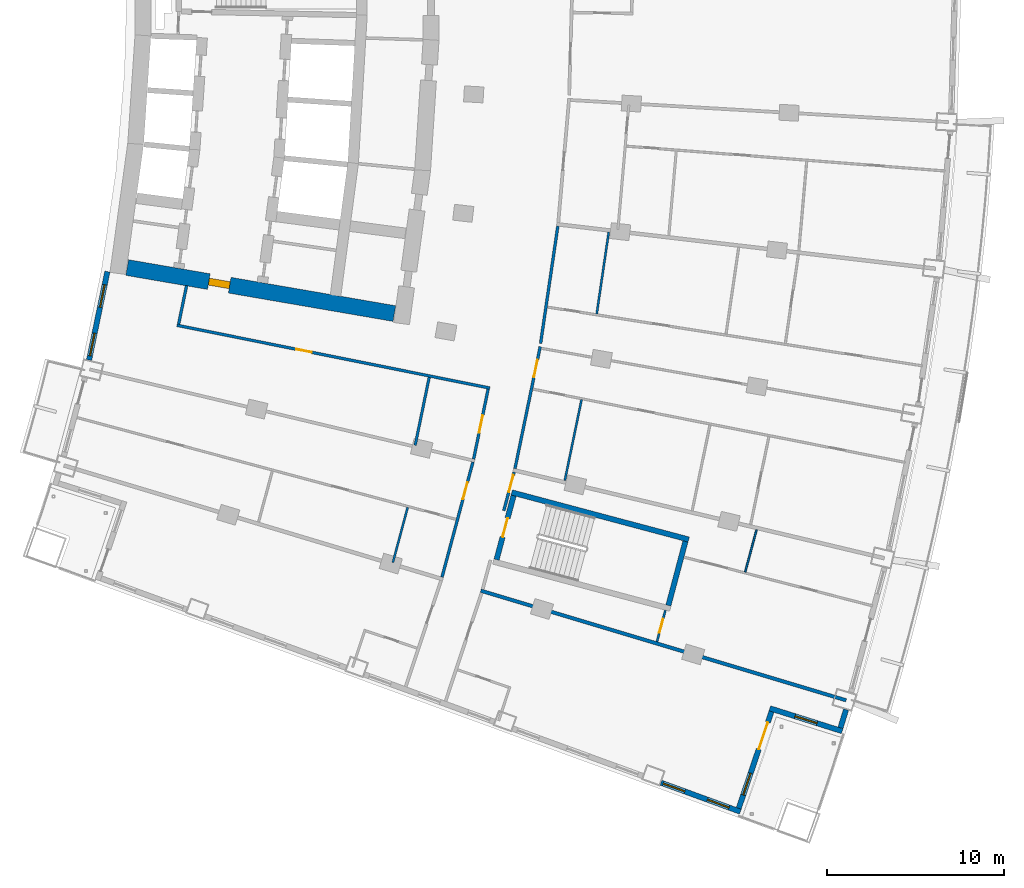
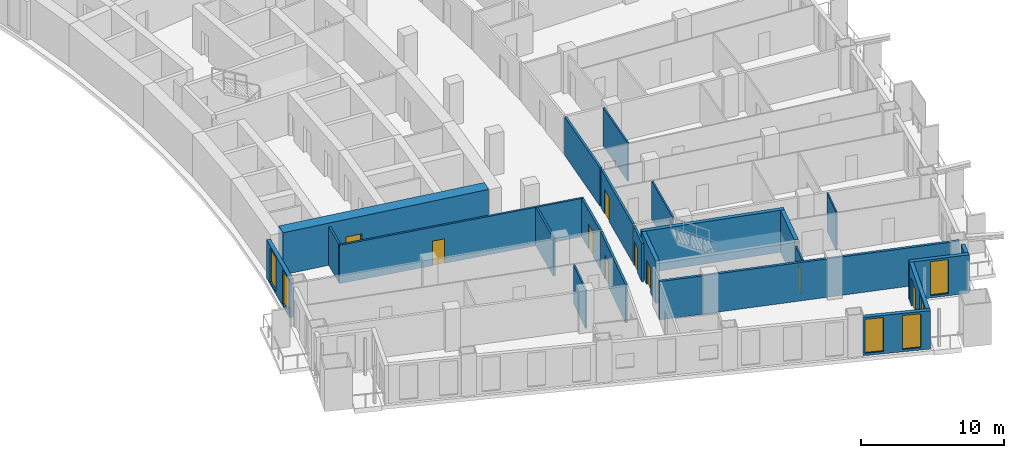
# One storey, part 14 of 25: 23 walls, 9 doors, 6 windows, 15 openings.
"""IFC4 building model written with IfcOpenShell, lengths in metres."""

from ifc_helpers import new_model, si_unit, direction, frame, frame_2d, origin, place, context, subcontext, project, spatial, rectangle, extrude, material, layer, layer_set, type_object, element, fill, save


model = new_model("IFC4")

# Units and contexts
model_context = context("Model", 3, precision=1e-05, world=origin(), true_north=direction((0.0, 1.0)))
body_context = subcontext(model_context, "Body", "Model", "MODEL_VIEW")
ifc_project = project(units=[si_unit("LENGTHUNIT", "METRE"), si_unit("AREAUNIT", "SQUARE_METRE"), si_unit("VOLUMEUNIT", "CUBIC_METRE"), si_unit("PLANEANGLEUNIT", "RADIAN"), si_unit("MASSUNIT", "GRAM", prefix="KILO")], contexts=[model_context])

# Site, building, storey
site_placement = place(None, origin())
site = spatial("IfcSite", under=ifc_project, at=site_placement, CompositionType="ELEMENT")
building_placement = place(site_placement, origin())
building = spatial("IfcBuilding", under=site, at=building_placement, Name="Alderwake Tower", CompositionType="ELEMENT")
storey_placement = place(building_placement, frame((0.0, 0.0, 57.199951171875)))
storey = spatial("IfcBuildingStorey", under=building, at=storey_placement, Name="L13", CompositionType="ELEMENT", Elevation=57.199951171875)

# Wall, opening, door
ifc_material_1 = material(Name="Concrete C70/85", Category="concrete")
ifc_layer_1 = layer(ifc_material_1, 0.89990234375)
ifc_layer_set_1 = layer_set([ifc_layer_1], Name="Core wall outer 900 C70-85")
wall_type_1 = type_object("IfcWallType", Name="Core wall outer 900 C70-85", PredefinedType="SHEAR", material=ifc_layer_set_1)
wall_1_placement = place(storey_placement, frame((31.11328125, 41.846923828125, 0.0), z_axis=(0.0, 0.0, 1.0), x_axis=(-0.985466640605, 0.169869067972, 0.0)))
wall_1 = element("IfcWall", 1, at=wall_1_placement, inside=storey, type_object=wall_type_1, Name="Core wall CW.070", PredefinedType="SHEAR", context=body_context, shape_type="SweptSolid", body=[
    extrude(rectangle(XDim=15.336669921875, YDim=0.89990234375, at=frame_2d((7.66845703125, 0.0))), origin(), (0.0, 0.0, 1.0), 3.60009765625),
])
opening_1_placement = place(wall_1_placement, frame((9.451904296875, 0.0, 0.0)))
opening_1 = element("IfcOpeningElement", 2, at=opening_1_placement, cuts=wall_1, Name="Opening C003", PredefinedType="OPENING", context=body_context, shape_type="SweptSolid", body=[
    extrude(rectangle(XDim=1.199951171875, YDim=2.10009765625, at=frame_2d((0.60009765625, 1.050048828125))), frame((0.0, 0.4599609375, 0.0), z_axis=(0.0, -1.0, 0.0), x_axis=(1.0, 0.0, 0.0)), (0.0, 0.0, 1.0), 0.919921875),
])
ifc_material_2 = material(Name="Steel-framed fire door leaf", Category="steel")
door_type_1 = type_object("IfcDoorType", Name="Core lobby exit door 1200 fire-rated", OperationType="SINGLE_SWING_LEFT", PredefinedType="DOOR", material=ifc_material_2)
door_1_placement = place(opening_1_placement, origin())
door_1 = element("IfcDoor", 3, at=door_1_placement, inside=storey, type_object=door_type_1, Name="Lobby door", OperationType="SINGLE_SWING_LEFT", OverallHeight=2.10009765625, OverallWidth=1.199951171875, PredefinedType="DOOR", context=body_context, shape_type="SweptSolid", body=[
    extrude(rectangle(XDim=1.199951171875, YDim=2.10009765625, at=frame_2d((0.60009765625, 1.050048828125))), frame((0.0, 0.199951171875, 0.0), z_axis=(0.0, -1.0, 0.0), x_axis=(1.0, 0.0, 0.0)), (0.0, 0.0, 1.0), 0.39990234375),
])
fill(opening_1, door_1)

# Wall
ifc_material_3 = material(Name="Concrete C70/85", Category="concrete")
ifc_layer_2 = layer(ifc_material_3, 0.300048828125)
ifc_layer_set_2 = layer_set([ifc_layer_2], Name="Core wall stair enclosure 300 C70-85")
wall_type_2 = type_object("IfcWallType", Name="Core wall stair enclosure 300 C70-85", PredefinedType="SHEAR", material=ifc_layer_set_2)
wall_2_placement = place(storey_placement, frame((37.75390625, 31.731201171875, 0.0), z_axis=(0.0, 0.0, 1.0), x_axis=(0.966309214305, -0.257383958996, 0.0)))
element("IfcWall", 4, at=wall_2_placement, inside=storey, type_object=wall_type_2, Name="Core wall CW.086", PredefinedType="SHEAR", context=body_context, shape_type="SweptSolid", body=[
    extrude(rectangle(XDim=10.360107421875, YDim=0.300048828125, at=frame_2d((5.18017578125, 0.0))), origin(), (0.0, 0.0, 1.0), 3.60009765625),
])

# Wall, opening, door
wall_3_placement = place(storey_placement, frame((36.89501953125, 27.923828125, 0.0), z_axis=(0.0, 0.0, 1.0), x_axis=(0.257350630826, 0.966318090907, 0.0)))
wall_3 = element("IfcWall", 5, at=wall_3_placement, inside=storey, type_object=wall_type_2, Name="Core wall CW.087", PredefinedType="SHEAR", context=body_context, shape_type="SweptSolid", body=[
    extrude(rectangle(XDim=3.75, YDim=0.300048828125, at=frame_2d((1.875, 0.0))), origin(), (0.0, 0.0, 1.0), 3.60009765625),
])
opening_2_placement = place(wall_3_placement, frame((1.324951171875, 0.0, 0.0)))
opening_2 = element("IfcOpeningElement", 6, at=opening_2_placement, cuts=wall_3, Name="Opening C065", PredefinedType="OPENING", context=body_context, shape_type="SweptSolid", body=[
    extrude(rectangle(XDim=1.10009765625, YDim=2.10009765625, at=frame_2d((0.550048828125, 1.050048828125))), frame((0.0, 0.159912109375, 0.0), z_axis=(0.0, -1.0, 0.0), x_axis=(1.0, 0.0, 0.0)), (0.0, 0.0, 1.0), 0.320068359375),
])
ifc_material_4 = material(Name="Steel-framed fire door leaf", Category="steel")
door_type_2 = type_object("IfcDoorType", Name="Core stair door 1100 fire-rated", OperationType="SINGLE_SWING_LEFT", PredefinedType="DOOR", material=ifc_material_4)
door_2_placement = place(opening_2_placement, origin())
door_2 = element("IfcDoor", 7, at=door_2_placement, inside=storey, type_object=door_type_2, Name="Stair door", OperationType="SINGLE_SWING_RIGHT", OverallHeight=2.10009765625, OverallWidth=1.10009765625, PredefinedType="DOOR", context=body_context, shape_type="SweptSolid", body=[
    extrude(rectangle(XDim=1.10009765625, YDim=2.10009765625, at=frame_2d((0.550048828125, 1.050048828125))), frame((0.0, 0.02490234375, 0.0), z_axis=(0.0, -1.0, 0.0), x_axis=(1.0, 0.0, 0.0)), (0.0, 0.0, 1.0), 0.050048828125),
])
fill(opening_2, door_2)

# Wall
wall_4_placement = place(storey_placement, frame((46.6162109375, 25.334716796875, 0.0), z_axis=(0.0, 0.0, 1.0), x_axis=(0.257366821694, 0.966313778796, 0.0)))
element("IfcWall", 8, at=wall_4_placement, inside=storey, type_object=wall_type_2, Name="Core wall CW.085", PredefinedType="SHEAR", context=body_context, shape_type="SweptSolid", body=[
    extrude(rectangle(XDim=3.749755859375, YDim=0.300048828125, at=frame_2d((1.875, 0.0))), origin(), (0.0, 0.0, 1.0), 3.60009765625),
])

# Wall, opening, door
ifc_material_5 = material(Name="Gypsum board on metal studs, rated")
ifc_layer_3 = layer(ifc_material_5, 0.159912109375)
ifc_layer_set_3 = layer_set([ifc_layer_3], Name="Corridor wall 160")
wall_type_3 = type_object("IfcWallType", Name="Corridor wall 160", PredefinedType="PARTITIONING", material=ifc_layer_set_3)
wall_5_placement = place(storey_placement, frame((36.513427734375, 37.63427734375, 0.0), z_axis=(0.0, 0.0, 1.0), x_axis=(-0.980470254867, 0.1966674333, 0.0)))
wall_5 = element("IfcWall", 9, at=wall_5_placement, inside=storey, type_object=wall_type_3, Name="WL/L13/W14", PredefinedType="PARTITIONING", context=body_context, shape_type="SweptSolid", body=[
    extrude(rectangle(XDim=18.053466796875, YDim=0.159912109375, at=frame_2d((9.02685546875, 0.0))), origin(), (0.0, 0.0, 1.0), 3.280029296875),
])
opening_3_placement = place(wall_5_placement, frame((10.277099609375, 0.0, 0.0)))
opening_3 = element("IfcOpeningElement", 10, at=opening_3_placement, cuts=wall_5, Name="Opening R03-SBS1", PredefinedType="OPENING", context=body_context, shape_type="SweptSolid", body=[
    extrude(rectangle(XDim=0.89990234375, YDim=2.10009765625, at=frame_2d((0.449951171875, 1.050048828125))), frame((0.0, 0.08984375, 0.0), z_axis=(0.0, -1.0, 0.0), x_axis=(1.0, 0.0, 0.0)), (0.0, 0.0, 1.0), 0.179931640625),
])
ifc_material_6 = material(Name="Painted timber leaf", Category="wood")
door_type_3 = type_object("IfcDoorType", Name="Room door 900", OperationType="SINGLE_SWING_LEFT", PredefinedType="DOOR", material=ifc_material_6)
door_3_placement = place(opening_3_placement, origin())
door_3 = element("IfcDoor", 11, at=door_3_placement, inside=storey, type_object=door_type_3, Name="DR/L13/SBS1", OperationType="SINGLE_SWING_LEFT", OverallHeight=2.10009765625, OverallWidth=0.89990234375, PredefinedType="DOOR", context=body_context, shape_type="SweptSolid", body=[
    extrude(rectangle(XDim=0.89990234375, YDim=2.10009765625, at=frame_2d((0.449951171875, 1.050048828125))), frame((0.0, 0.02490234375, 0.0), z_axis=(0.0, -1.0, 0.0), x_axis=(1.0, 0.0, 0.0)), (0.0, 0.0, 1.0), 0.050048828125),
])
fill(opening_3, door_3)

# Wall
wall_6_placement = place(storey_placement, frame((19.35888671875, 43.430908203125, 0.0), z_axis=(0.0, 0.0, 1.0), x_axis=(-0.202554916658, -0.979270905183, 0.0)))
element("IfcWall", 12, at=wall_6_placement, inside=storey, type_object=wall_type_3, Name="WL/L13/W16", PredefinedType="PARTITIONING", context=body_context, shape_type="SweptSolid", body=[
    extrude(rectangle(XDim=2.229736328125, YDim=0.159912109375, at=frame_2d((1.11474609375, 0.0))), origin(), (0.0, 0.0, 1.0), 3.280029296875),
])

# Wall, opening, door
wall_7_placement = place(storey_placement, frame((33.808837890625, 26.9345703125, 0.0), z_axis=(0.0, 0.0, 1.0), x_axis=(0.259298911818, 0.965797118618, 0.0)))
wall_7 = element("IfcWall", 13, at=wall_7_placement, inside=storey, type_object=wall_type_3, Name="WL/L13/W19", PredefinedType="PARTITIONING", context=body_context, shape_type="SweptSolid", body=[
    extrude(rectangle(XDim=6.75, YDim=0.159912109375, at=frame_2d((3.375, 0.0))), origin(), (0.0, 0.0, 1.0), 3.280029296875),
])
opening_4_placement = place(wall_7_placement, frame((4.5576171875, 0.0, 0.0)))
opening_4 = element("IfcOpeningElement", 14, at=opening_4_placement, cuts=wall_7, Name="Opening R03-U10.2", PredefinedType="OPENING", context=body_context, shape_type="SweptSolid", body=[
    extrude(rectangle(XDim=1.0, YDim=2.10009765625, at=frame_2d((0.5, 1.050048828125))), frame((0.0, 0.08984375, 0.0), z_axis=(0.0, -1.0, 0.0), x_axis=(1.0, 0.0, 0.0)), (0.0, 0.0, 1.0), 0.179931640625),
])
ifc_material_7 = material(Name="Solid timber leaf in steel frame", Category="steel")
door_type_4 = type_object("IfcDoorType", Name="Flat entrance door 1000 fire-rated", OperationType="SINGLE_SWING_LEFT", PredefinedType="DOOR", material=ifc_material_7)
door_4_placement = place(opening_4_placement, origin())
door_4 = element("IfcDoor", 15, at=door_4_placement, inside=storey, type_object=door_type_4, Name="DR/L13/U10.2", OperationType="SINGLE_SWING_LEFT", OverallHeight=2.10009765625, OverallWidth=1.0, PredefinedType="DOOR", context=body_context, shape_type="SweptSolid", body=[
    extrude(rectangle(XDim=1.0, YDim=2.10009765625, at=frame_2d((0.5, 1.050048828125))), frame((0.0, 0.02490234375, 0.0), z_axis=(0.0, -1.0, 0.0), x_axis=(1.0, 0.0, 0.0)), (0.0, 0.0, 1.0), 0.050048828125),
])
fill(opening_4, door_4)

wall_8_placement = place(storey_placement, frame((35.59619140625, 33.609375, 0.0), z_axis=(0.0, 0.0, 1.0), x_axis=(0.203245920818, 0.979127721838, 0.0)))
wall_8 = element("IfcWall", 16, at=wall_8_placement, inside=storey, type_object=wall_type_3, Name="WL/L13/W26", PredefinedType="PARTITIONING", context=body_context, shape_type="SweptSolid", body=[
    extrude(rectangle(XDim=4.046875, YDim=0.159912109375, at=frame_2d((2.0234375, 0.0))), origin(), (0.0, 0.0, 1.0), 3.280029296875),
])
opening_5_placement = place(wall_8_placement, frame((1.5234375, 0.0, 0.0)))
opening_5 = element("IfcOpeningElement", 17, at=opening_5_placement, cuts=wall_8, Name="Opening R03-SBS2", PredefinedType="OPENING", context=body_context, shape_type="SweptSolid", body=[
    extrude(rectangle(XDim=1.0, YDim=2.10009765625, at=frame_2d((0.5, 1.050048828125))), frame((0.0, 0.08984375, 0.0), z_axis=(0.0, -1.0, 0.0), x_axis=(1.0, 0.0, 0.0)), (0.0, 0.0, 1.0), 0.179931640625),
])
ifc_material_8 = material(Name="Steel-framed fire door leaf", Category="steel")
door_type_5 = type_object("IfcDoorType", Name="Plant room door 1000 fire-rated", OperationType="SINGLE_SWING_LEFT", PredefinedType="DOOR", material=ifc_material_8)
door_5_placement = place(opening_5_placement, origin())
door_5 = element("IfcDoor", 18, at=door_5_placement, inside=storey, type_object=door_type_5, Name="DR/L13/SBS2", OperationType="SINGLE_SWING_LEFT", OverallHeight=2.10009765625, OverallWidth=1.0, PredefinedType="DOOR", context=body_context, shape_type="SweptSolid", body=[
    extrude(rectangle(XDim=1.0, YDim=2.10009765625, at=frame_2d((0.5, 1.050048828125))), frame((0.0, 0.02490234375, 0.0), z_axis=(0.0, -1.0, 0.0), x_axis=(1.0, 0.0, 0.0)), (0.0, 0.0, 1.0), 0.050048828125),
])
fill(opening_5, door_5)

wall_9_placement = place(storey_placement, frame((37.89111328125, 32.87939453125, 0.0), z_axis=(0.0, 0.0, 1.0), x_axis=(-0.259620578816, -0.965710699462, 0.0)))
wall_9 = element("IfcWall", 19, at=wall_9_placement, inside=storey, type_object=wall_type_3, Name="WL/L13/W29", PredefinedType="PARTITIONING", context=body_context, shape_type="SweptSolid", body=[
    extrude(rectangle(XDim=2.2578125, YDim=0.159912109375, at=frame_2d((1.12890625, 0.0))), origin(), (0.0, 0.0, 1.0), 3.280029296875),
])
opening_6_placement = place(wall_9_placement, frame((0.1708984375, 0.0, 0.0)))
opening_6 = element("IfcOpeningElement", 20, at=opening_6_placement, cuts=wall_9, Name="Opening R03-U01.1", PredefinedType="OPENING", context=body_context, shape_type="SweptSolid", body=[
    extrude(rectangle(XDim=1.0, YDim=2.10009765625, at=frame_2d((0.5, 1.050048828125))), frame((0.0, 0.08984375, 0.0), z_axis=(0.0, -1.0, 0.0), x_axis=(1.0, 0.0, 0.0)), (0.0, 0.0, 1.0), 0.179931640625),
])
door_6_placement = place(opening_6_placement, origin())
door_6 = element("IfcDoor", 21, at=door_6_placement, inside=storey, type_object=door_type_4, Name="DR/L13/U01.1", OperationType="SINGLE_SWING_LEFT", OverallHeight=2.10009765625, OverallWidth=1.0, PredefinedType="DOOR", context=body_context, shape_type="SweptSolid", body=[
    extrude(rectangle(XDim=1.0, YDim=2.10009765625, at=frame_2d((0.5, 1.050048828125))), frame((0.0, 0.02490234375, 0.0), z_axis=(0.0, -1.0, 0.0), x_axis=(1.0, 0.0, 0.0)), (0.0, 0.0, 1.0), 0.050048828125),
])
fill(opening_6, door_6)

wall_10_placement = place(storey_placement, frame((39.3642578125, 39.975341796875, 0.0), z_axis=(0.0, 0.0, 1.0), x_axis=(-0.202487611378, -0.979284824368, 0.0)))
wall_10 = element("IfcWall", 22, at=wall_10_placement, inside=storey, type_object=wall_type_3, Name="WL/L13/W30", PredefinedType="PARTITIONING", context=body_context, shape_type="SweptSolid", body=[
    extrude(rectangle(XDim=7.04736328125, YDim=0.159912109375, at=frame_2d((3.523681640625, 0.0))), origin(), (0.0, 0.0, 1.0), 3.280029296875),
])
opening_7_placement = place(wall_10_placement, frame((0.7568359375, 0.0, 0.0)))
opening_7 = element("IfcOpeningElement", 23, at=opening_7_placement, cuts=wall_10, Name="Opening R03-U05.3", PredefinedType="OPENING", context=body_context, shape_type="SweptSolid", body=[
    extrude(rectangle(XDim=1.0, YDim=2.10009765625, at=frame_2d((0.5, 1.050048828125))), frame((0.0, 0.08984375, 0.0), z_axis=(0.0, -1.0, 0.0), x_axis=(1.0, 0.0, 0.0)), (0.0, 0.0, 1.0), 0.179931640625),
])
door_7_placement = place(opening_7_placement, origin())
door_7 = element("IfcDoor", 24, at=door_7_placement, inside=storey, type_object=door_type_4, Name="DR/L13/U05.3", OperationType="SINGLE_SWING_LEFT", OverallHeight=2.10009765625, OverallWidth=1.0, PredefinedType="DOOR", context=body_context, shape_type="SweptSolid", body=[
    extrude(rectangle(XDim=1.0, YDim=2.10009765625, at=frame_2d((0.5, 1.050048828125))), frame((0.0, 0.02490234375, 0.0), z_axis=(0.0, -1.0, 0.0), x_axis=(1.0, 0.0, 0.0)), (0.0, 0.0, 1.0), 0.050048828125),
])
fill(opening_7, door_7)

# Walls
wall_11_placement = place(storey_placement, frame((39.38671875, 40.160888671875, 0.0), z_axis=(0.0, 0.0, 1.0), x_axis=(0.145513909196, 0.989356205939, 0.0)))
element("IfcWall", 25, at=wall_11_placement, inside=storey, type_object=wall_type_3, Name="WL/L13/W32", PredefinedType="PARTITIONING", context=body_context, shape_type="SweptSolid", body=[
    extrude(rectangle(XDim=6.704345703125, YDim=0.159912109375, at=frame_2d((3.35205078125, 0.0))), origin(), (0.0, 0.0, 1.0), 3.280029296875),
])
ifc_material_9 = material(Name="Precast concrete C50/60 spandrel panel", Category="concrete")
ifc_layer_4 = layer(ifc_material_9, 0.300048828125)
ifc_layer_set_4 = layer_set([ifc_layer_4], Name="External wall EW1 Precast concrete C50/60 spandrel")
wall_type_4 = type_object("IfcWallType", Name="External wall EW1 Precast concrete C50/60 spandrel", PredefinedType="SOLIDWALL", material=ifc_layer_set_4)
wall_12_placement = place(storey_placement, frame((56.3505859375, 18.41064453125, 0.0), z_axis=(0.0, 0.0, 1.0), x_axis=(0.294452184736, 0.955666213123, 0.0)))
element("IfcWall", 26, at=wall_12_placement, inside=storey, type_object=wall_type_4, Name="External wall 11", PredefinedType="SOLIDWALL", context=body_context, shape_type="SweptSolid", body=[
    extrude(rectangle(XDim=1.0771484375, YDim=0.300048828125, at=frame_2d((0.53857421875, 0.0))), origin(), (0.0, 0.0, 1.0), 3.280029296875),
])

# Wall, openings, windows
wall_13_placement = place(storey_placement, frame((14.878173828125, 44.223388671875, 0.0), z_axis=(0.0, 0.0, 1.0), x_axis=(-0.202738354746, -0.979232944459, 0.0)))
wall_13 = element("IfcWall", 27, at=wall_13_placement, inside=storey, type_object=wall_type_4, Name="External wall 35", PredefinedType="SOLIDWALL", context=body_context, shape_type="SweptSolid", body=[
    extrude(rectangle(XDim=5.1083984375, YDim=0.300048828125, at=frame_2d((2.55419921875, 0.0))), origin(), (0.0, 0.0, 1.0), 3.280029296875),
])
opening_8_placement = place(wall_13_placement, frame((0.75634765625, 0.0, 0.199951171875)))
opening_8 = element("IfcOpeningElement", 28, at=opening_8_placement, cuts=wall_13, Name="Opening W1", PredefinedType="OPENING", context=body_context, shape_type="SweptSolid", body=[
    extrude(rectangle(XDim=1.300048828125, YDim=2.89990234375, at=frame_2d((0.64990234375, 1.449951171875))), frame((0.0, 0.159912109375, 0.0), z_axis=(0.0, -1.0, 0.0), x_axis=(1.0, 0.0, 0.0)), (0.0, 0.0, 1.0), 0.320068359375),
])
opening_9_placement = place(wall_13_placement, frame((3.569091796875, 0.0, 0.199951171875)))
opening_9 = element("IfcOpeningElement", 29, at=opening_9_placement, cuts=wall_13, Name="Opening W1", PredefinedType="OPENING", context=body_context, shape_type="SweptSolid", body=[
    extrude(rectangle(XDim=1.300048828125, YDim=2.89990234375, at=frame_2d((0.64990234375, 1.449951171875))), frame((0.0, 0.159912109375, 0.0), z_axis=(0.0, -1.0, 0.0), x_axis=(1.0, 0.0, 0.0)), (0.0, 0.0, 1.0), 0.320068359375),
])
ifc_material_10 = material(Name="Bronze tinted glass in aluminium frame", Category="aluminium")
window_type = type_object("IfcWindowType", Name="Window W1 tall fixed and vent", PartitioningType="DOUBLE_PANEL_VERTICAL", PredefinedType="WINDOW", material=ifc_material_10)
window_1_placement = place(opening_8_placement, origin())
window_1 = element("IfcWindow", 30, at=window_1_placement, inside=storey, type_object=window_type, Name="Window W1 tall fixed and vent", OverallHeight=2.89990234375, OverallWidth=1.300048828125, PartitioningType="DOUBLE_PANEL_VERTICAL", PredefinedType="WINDOW", context=body_context, shape_type="SweptSolid", body=[
    extrude(rectangle(XDim=1.300048828125, YDim=2.89990234375, at=frame_2d((0.64990234375, 1.449951171875))), frame((0.0, 0.030029296875, 0.0), z_axis=(0.0, -1.0, 0.0), x_axis=(1.0, 0.0, 0.0)), (0.0, 0.0, 1.0), 0.06005859375),
])
fill(opening_8, window_1)
window_2_placement = place(opening_9_placement, origin())
window_2 = element("IfcWindow", 31, at=window_2_placement, inside=storey, type_object=window_type, Name="Window W1 tall fixed and vent", OverallHeight=2.89990234375, OverallWidth=1.300048828125, PartitioningType="DOUBLE_PANEL_VERTICAL", PredefinedType="WINDOW", context=body_context, shape_type="SweptSolid", body=[
    extrude(rectangle(XDim=1.300048828125, YDim=2.89990234375, at=frame_2d((0.64990234375, 1.449951171875))), frame((0.0, 0.030029296875, 0.0), z_axis=(0.0, -1.0, 0.0), x_axis=(1.0, 0.0, 0.0)), (0.0, 0.0, 1.0), 0.06005859375),
])
fill(opening_9, window_2)

ifc_material_11 = material(Name="Bronze metal cladding on lightweight framing")
ifc_layer_5 = layer(ifc_material_11, 0.300048828125)
ifc_layer_set_5 = layer_set([ifc_layer_5], Name="External wall EW2 bronze metal cladding")
wall_type_5 = type_object("IfcWallType", Name="External wall EW2 bronze metal cladding", PredefinedType="SOLIDWALL", material=ifc_layer_set_5)
wall_14_placement = place(storey_placement, frame((46.2001953125, 15.305908203125, 0.0), z_axis=(0.0, 0.0, 1.0), x_axis=(0.939381087799, -0.342874863304, 0.0)))
wall_14 = element("IfcWall", 32, at=wall_14_placement, inside=storey, type_object=wall_type_5, Name="External wall 8", PredefinedType="SOLIDWALL", context=body_context, shape_type="SweptSolid", body=[
    extrude(rectangle(XDim=4.779296875, YDim=0.300048828125, at=frame_2d((2.3896484375, 0.0))), origin(), (0.0, 0.0, 1.0), 3.280029296875),
])
opening_10_placement = place(wall_14_placement, frame((0.130859375, 0.0, 0.199951171875)))
opening_10 = element("IfcOpeningElement", 33, at=opening_10_placement, cuts=wall_14, Name="Opening W1", PredefinedType="OPENING", context=body_context, shape_type="SweptSolid", body=[
    extrude(rectangle(XDim=1.300048828125, YDim=2.89990234375, at=frame_2d((0.64990234375, 1.449951171875))), frame((0.0, 0.159912109375, 0.0), z_axis=(0.0, -1.0, 0.0), x_axis=(1.0, 0.0, 0.0)), (0.0, 0.0, 1.0), 0.320068359375),
])
opening_11_placement = place(wall_14_placement, frame((2.79638671875, 0.0, 0.199951171875)))
opening_11 = element("IfcOpeningElement", 34, at=opening_11_placement, cuts=wall_14, Name="Opening W1", PredefinedType="OPENING", context=body_context, shape_type="SweptSolid", body=[
    extrude(rectangle(XDim=1.300048828125, YDim=2.89990234375, at=frame_2d((0.64990234375, 1.449951171875))), frame((0.0, 0.159912109375, 0.0), z_axis=(0.0, -1.0, 0.0), x_axis=(1.0, 0.0, 0.0)), (0.0, 0.0, 1.0), 0.320068359375),
])
window_3_placement = place(opening_10_placement, origin())
window_3 = element("IfcWindow", 35, at=window_3_placement, inside=storey, type_object=window_type, Name="Window W1 tall fixed and vent", OverallHeight=2.89990234375, OverallWidth=1.300048828125, PartitioningType="DOUBLE_PANEL_VERTICAL", PredefinedType="WINDOW", context=body_context, shape_type="SweptSolid", body=[
    extrude(rectangle(XDim=1.300048828125, YDim=2.89990234375, at=frame_2d((0.64990234375, 1.449951171875))), frame((0.0, 0.030029296875, 0.0), z_axis=(0.0, -1.0, 0.0), x_axis=(1.0, 0.0, 0.0)), (0.0, 0.0, 1.0), 0.06005859375),
])
fill(opening_10, window_3)
window_4_placement = place(opening_11_placement, origin())
window_4 = element("IfcWindow", 36, at=window_4_placement, inside=storey, type_object=window_type, Name="Window W1 tall fixed and vent", OverallHeight=2.89990234375, OverallWidth=1.300048828125, PartitioningType="DOUBLE_PANEL_VERTICAL", PredefinedType="WINDOW", context=body_context, shape_type="SweptSolid", body=[
    extrude(rectangle(XDim=1.300048828125, YDim=2.89990234375, at=frame_2d((0.64990234375, 1.449951171875))), frame((0.0, 0.030029296875, 0.0), z_axis=(0.0, -1.0, 0.0), x_axis=(1.0, 0.0, 0.0)), (0.0, 0.0, 1.0), 0.06005859375),
])
fill(opening_11, window_4)

# Wall, openings, door, window
wall_15_placement = place(storey_placement, frame((50.596923828125, 13.860595703125, 0.0), z_axis=(0.0, 0.0, 1.0), x_axis=(0.320866373694, 0.947124474519, 0.0)))
wall_15 = element("IfcWall", 37, at=wall_15_placement, inside=storey, type_object=wall_type_5, Name="External wall 9", PredefinedType="SOLIDWALL", context=body_context, shape_type="SweptSolid", body=[
    extrude(rectangle(XDim=5.7744140625, YDim=0.300048828125, at=frame_2d((2.88720703125, 0.0))), origin(), (0.0, 0.0, 1.0), 3.280029296875),
])
opening_12_placement = place(wall_15_placement, frame((0.79345703125, 0.0, 0.199951171875)))
opening_12 = element("IfcOpeningElement", 38, at=opening_12_placement, cuts=wall_15, Name="Opening W1", PredefinedType="OPENING", context=body_context, shape_type="SweptSolid", body=[
    extrude(rectangle(XDim=1.300048828125, YDim=2.89990234375, at=frame_2d((0.64990234375, 1.449951171875))), frame((0.0, 0.159912109375, 0.0), z_axis=(0.0, -1.0, 0.0), x_axis=(1.0, 0.0, 0.0)), (0.0, 0.0, 1.0), 0.320068359375),
])
opening_13_placement = place(wall_15_placement, frame((3.530517578125, 0.0, 0.0)))
opening_13 = element("IfcOpeningElement", 39, at=opening_13_placement, cuts=wall_15, Name="Opening D02", PredefinedType="OPENING", context=body_context, shape_type="SweptSolid", body=[
    extrude(rectangle(XDim=1.60009765625, YDim=2.39990234375, at=frame_2d((0.800048828125, 1.199951171875))), frame((0.0, 0.159912109375, 0.0), z_axis=(0.0, -1.0, 0.0), x_axis=(1.0, 0.0, 0.0)), (0.0, 0.0, 1.0), 0.320068359375),
])
ifc_material_12 = material(Name="Bronze tinted glass in aluminium frame", Category="aluminium")
door_type_6 = type_object("IfcDoorType", Name="Terrace door TD sliding", OperationType="SLIDING_TO_LEFT", PredefinedType="DOOR", material=ifc_material_12)
door_8_placement = place(opening_13_placement, origin())
door_8 = element("IfcDoor", 40, at=door_8_placement, inside=storey, type_object=door_type_6, Name="Door D02", OperationType="SLIDING_TO_LEFT", OverallHeight=2.39990234375, OverallWidth=1.60009765625, PredefinedType="DOOR", context=body_context, shape_type="SweptSolid", body=[
    extrude(rectangle(XDim=1.60009765625, YDim=2.39990234375, at=frame_2d((0.800048828125, 1.199951171875))), frame((0.0, 0.02490234375, 0.0), z_axis=(0.0, -1.0, 0.0), x_axis=(1.0, 0.0, 0.0)), (0.0, 0.0, 1.0), 0.050048828125),
])
fill(opening_13, door_8)
window_5_placement = place(opening_12_placement, origin())
window_5 = element("IfcWindow", 41, at=window_5_placement, inside=storey, type_object=window_type, Name="Window W1 tall fixed and vent", OverallHeight=2.89990234375, OverallWidth=1.300048828125, PartitioningType="DOUBLE_PANEL_VERTICAL", PredefinedType="WINDOW", context=body_context, shape_type="SweptSolid", body=[
    extrude(rectangle(XDim=1.300048828125, YDim=2.89990234375, at=frame_2d((0.64990234375, 1.449951171875))), frame((0.0, 0.030029296875, 0.0), z_axis=(0.0, -1.0, 0.0), x_axis=(1.0, 0.0, 0.0)), (0.0, 0.0, 1.0), 0.06005859375),
])
fill(opening_12, window_5)

# Wall, opening, window
wall_16_placement = place(storey_placement, frame((52.35498046875, 19.516845703125, 0.0), z_axis=(0.0, 0.0, 1.0), x_axis=(0.953470039543, -0.301487783656, 0.0)))
wall_16 = element("IfcWall", 42, at=wall_16_placement, inside=storey, type_object=wall_type_5, Name="External wall 10", PredefinedType="SOLIDWALL", context=body_context, shape_type="SweptSolid", body=[
    extrude(rectangle(XDim=4.294189453125, YDim=0.300048828125, at=frame_2d((2.14697265625, 0.0))), origin(), (0.0, 0.0, 1.0), 3.280029296875),
])
opening_14_placement = place(wall_16_placement, frame((1.4970703125, 0.0, 0.199951171875)))
opening_14 = element("IfcOpeningElement", 43, at=opening_14_placement, cuts=wall_16, Name="Opening W1", PredefinedType="OPENING", context=body_context, shape_type="SweptSolid", body=[
    extrude(rectangle(XDim=1.300048828125, YDim=2.89990234375, at=frame_2d((0.64990234375, 1.449951171875))), frame((0.0, 0.159912109375, 0.0), z_axis=(0.0, -1.0, 0.0), x_axis=(1.0, 0.0, 0.0)), (0.0, 0.0, 1.0), 0.320068359375),
])
window_6_placement = place(opening_14_placement, origin())
window_6 = element("IfcWindow", 44, at=window_6_placement, inside=storey, type_object=window_type, Name="Window W1 tall fixed and vent", OverallHeight=2.89990234375, OverallWidth=1.300048828125, PartitioningType="DOUBLE_PANEL_VERTICAL", PredefinedType="WINDOW", context=body_context, shape_type="SweptSolid", body=[
    extrude(rectangle(XDim=1.300048828125, YDim=2.89990234375, at=frame_2d((0.64990234375, 1.449951171875))), frame((0.0, 0.030029296875, 0.0), z_axis=(0.0, -1.0, 0.0), x_axis=(1.0, 0.0, 0.0)), (0.0, 0.0, 1.0), 0.06005859375),
])
fill(opening_14, window_6)

# Walls
ifc_material_13 = material(Name="Dense block masonry wall", Category="masonry")
ifc_layer_6 = layer(ifc_material_13, 0.199951171875)
ifc_layer_set_6 = layer_set([ifc_layer_6], Name="Party wall 200")
wall_type_6 = type_object("IfcWallType", Name="Party wall 200", PredefinedType="SOLIDWALL", material=ifc_layer_set_6)
wall_17_placement = place(storey_placement, frame((36.00439453125, 26.1708984375, 0.0), z_axis=(0.0, 0.0, 1.0), x_axis=(0.957797321715, -0.287444412913, 0.0)))
element("IfcWall", 45, at=wall_17_placement, inside=storey, type_object=wall_type_6, Name="WL/L13/W03", PredefinedType="SOLIDWALL", context=body_context, shape_type="SweptSolid", body=[
    extrude(rectangle(XDim=21.579345703125, YDim=0.199951171875, at=frame_2d((10.78955078125, 0.0))), origin(), (0.0, 0.0, 1.0), 3.280029296875),
])
ifc_material_14 = material(Name="Gypsum shaft wall system, rated")
ifc_layer_7 = layer(ifc_material_14, 0.14990234375)
ifc_layer_set_7 = layer_set([ifc_layer_7], Name="Riser and shaft wall 150")
wall_type_7 = type_object("IfcWallType", Name="Riser and shaft wall 150", PredefinedType="PARTITIONING", material=ifc_layer_set_7)
wall_18_placement = place(storey_placement, frame((32.290283203125, 34.3955078125, 0.0), z_axis=(0.0, 0.0, 1.0), x_axis=(0.202568596204, 0.979268075571, 0.0)))
element("IfcWall", 46, at=wall_18_placement, inside=storey, type_object=wall_type_7, Name="WL/L13/W09", PredefinedType="PARTITIONING", context=body_context, shape_type="SweptSolid", body=[
    extrude(rectangle(XDim=3.926513671875, YDim=0.14990234375, at=frame_2d((1.96337890625, 0.0))), origin(), (0.0, 0.0, 1.0), 3.280029296875),
])
ifc_material_15 = material(Name="Gypsum board on metal studs")
ifc_layer_8 = layer(ifc_material_15, 0.10009765625)
ifc_layer_set_8 = layer_set([ifc_layer_8], Name="Unit partition 100")
wall_type_8 = type_object("IfcWallType", Name="Unit partition 100", PredefinedType="PARTITIONING", material=ifc_layer_set_8)
wall_19_placement = place(storey_placement, frame((50.9619140625, 27.225341796875, 0.0), z_axis=(0.0, 0.0, 1.0), x_axis=(0.260249003849, 0.965541535096, 0.0)))
element("IfcWall", 47, at=wall_19_placement, inside=storey, type_object=wall_type_8, Name="WL/L13/W80", PredefinedType="PARTITIONING", context=body_context, shape_type="SweptSolid", body=[
    extrude(rectangle(XDim=2.478515625, YDim=0.10009765625, at=frame_2d((1.2392578125, 0.0))), origin(), (0.0, 0.0, 1.0), 3.280029296875),
])
ifc_material_16 = material(Name="Moisture resistant gypsum board on metal studs")
ifc_layer_9 = layer(ifc_material_16, 0.1201171875)
ifc_layer_set_9 = layer_set([ifc_layer_9], Name="Wet room partition 120")
wall_type_9 = type_object("IfcWallType", Name="Wet room partition 120", PredefinedType="PARTITIONING", material=ifc_layer_set_9)
wall_20_placement = place(storey_placement, frame((31.867919921875, 30.8876953125, 0.0), z_axis=(0.0, 0.0, 1.0), x_axis=(-0.259149206489, -0.96583729933, 0.0)))
element("IfcWall", 48, at=wall_20_placement, inside=storey, type_object=wall_type_9, Name="WL/L13/W46", PredefinedType="PARTITIONING", context=body_context, shape_type="SweptSolid", body=[
    extrude(rectangle(XDim=3.2294921875, YDim=0.1201171875, at=frame_2d((1.61474609375, 0.0))), origin(), (0.0, 0.0, 1.0), 3.280029296875),
])
wall_21_placement = place(storey_placement, frame((40.75732421875, 32.402099609375, 0.0), z_axis=(0.0, 0.0, 1.0), x_axis=(0.202555554597, 0.97927077323, 0.0)))
element("IfcWall", 49, at=wall_21_placement, inside=storey, type_object=wall_type_9, Name="WL/L13/W52", PredefinedType="PARTITIONING", context=body_context, shape_type="SweptSolid", body=[
    extrude(rectangle(XDim=4.677734375, YDim=0.1201171875, at=frame_2d((2.3388671875, 0.0))), origin(), (0.0, 0.0, 1.0), 3.280029296875),
])
wall_22_placement = place(storey_placement, frame((42.562255859375, 41.83056640625, 0.0), z_axis=(0.0, 0.0, 1.0), x_axis=(0.145515042, 0.989356039326, 0.0)))
element("IfcWall", 50, at=wall_22_placement, inside=storey, type_object=wall_type_9, Name="WL/L13/W54", PredefinedType="PARTITIONING", context=body_context, shape_type="SweptSolid", body=[
    extrude(rectangle(XDim=4.67431640625, YDim=0.1201171875, at=frame_2d((2.337158203125, 0.0))), origin(), (0.0, 0.0, 1.0), 3.280029296875),
])

# Wall, opening, door
wall_23_placement = place(storey_placement, frame((45.970947265625, 23.28369140625, 0.0), z_axis=(0.0, 0.0, 1.0), x_axis=(0.258764710752, 0.965940383497, 0.0)))
wall_23 = element("IfcWall", 51, at=wall_23_placement, inside=storey, type_object=wall_type_9, Name="WL/L13/W60", PredefinedType="PARTITIONING", context=body_context, shape_type="SweptSolid", body=[
    extrude(rectangle(XDim=1.847412109375, YDim=0.1201171875, at=frame_2d((0.923828125, 0.0))), origin(), (0.0, 0.0, 1.0), 3.280029296875),
])
opening_15_placement = place(wall_23_placement, frame((0.523681640625, 0.0, 0.0)))
opening_15 = element("IfcOpeningElement", 52, at=opening_15_placement, cuts=wall_23, Name="Opening R03-U01.4", PredefinedType="OPENING", context=body_context, shape_type="SweptSolid", body=[
    extrude(rectangle(XDim=0.800048828125, YDim=2.10009765625, at=frame_2d((0.39990234375, 1.050048828125))), frame((0.0, 0.070068359375, 0.0), z_axis=(0.0, -1.0, 0.0), x_axis=(1.0, 0.0, 0.0)), (0.0, 0.0, 1.0), 0.14013671875),
])
ifc_material_17 = material(Name="Painted timber leaf", Category="wood")
door_type_7 = type_object("IfcDoorType", Name="Bathroom door 800", OperationType="SINGLE_SWING_LEFT", PredefinedType="DOOR", material=ifc_material_17)
door_9_placement = place(opening_15_placement, origin())
door_9 = element("IfcDoor", 53, at=door_9_placement, inside=storey, type_object=door_type_7, Name="DR/L13/U01.4", OperationType="SINGLE_SWING_LEFT", OverallHeight=2.10009765625, OverallWidth=0.800048828125, PredefinedType="DOOR", context=body_context, shape_type="SweptSolid", body=[
    extrude(rectangle(XDim=0.800048828125, YDim=2.10009765625, at=frame_2d((0.39990234375, 1.050048828125))), frame((0.0, 0.02490234375, 0.0), z_axis=(0.0, -1.0, 0.0), x_axis=(1.0, 0.0, 0.0)), (0.0, 0.0, 1.0), 0.050048828125),
])
fill(opening_15, door_9)

save(model, "model.ifc")
